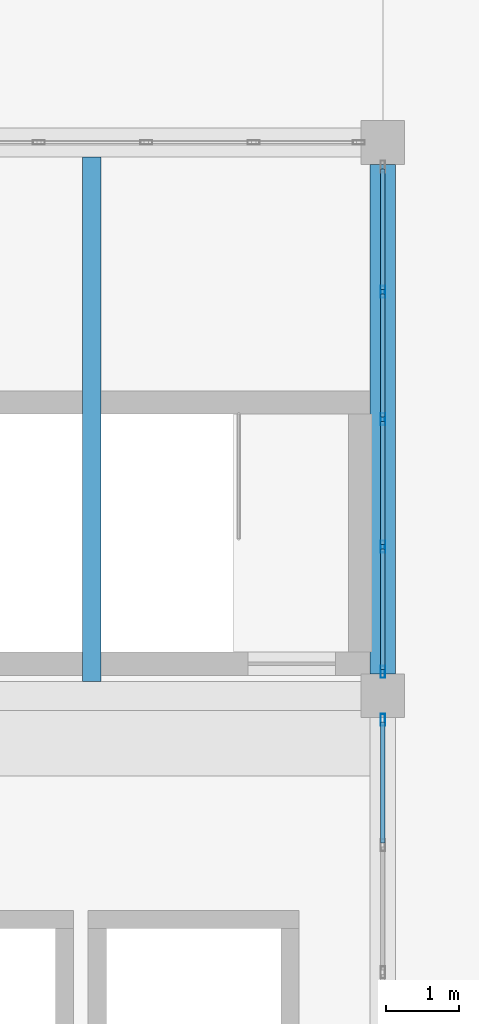
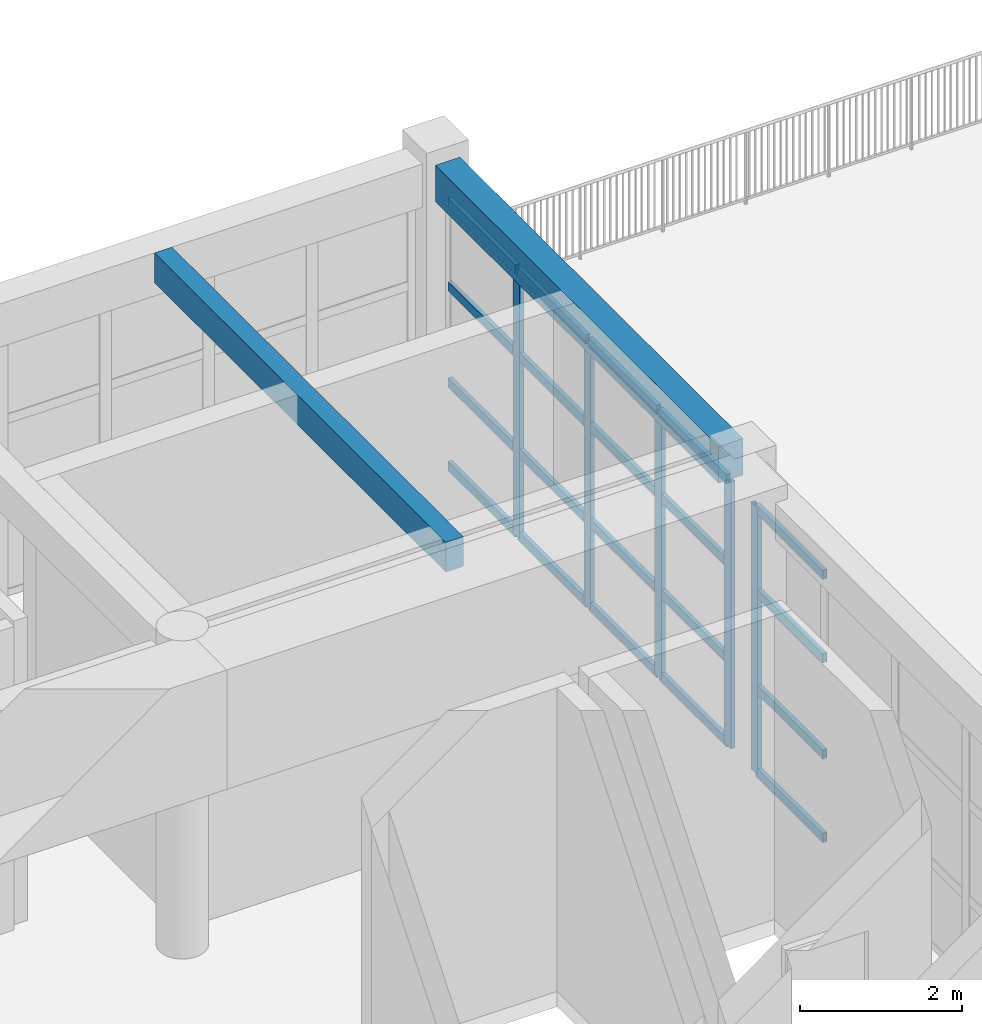
# One storey, part 19 of 32: 25 members, 2 beams, 2 elements without a shape of their own.
"""IFC4 building model written with IfcOpenShell, lengths in metres."""

from ifc_helpers import new_model, si_unit, direction, frame, origin, origin_2d, place, context, subcontext, project, spatial, rectangle, hollow_rectangle, extrude, material, material_profile, profile_set, type_object, element, aggregate, save


model = new_model("IFC4")

# Units and contexts
model_context = context("Model", 3, precision=1e-05, world=origin(), true_north=direction((0.0, 1.0)))
body_context = subcontext(model_context, "Body", "Model", "MODEL_VIEW")
ifc_project = project(units=[si_unit("LENGTHUNIT", "METRE"), si_unit("AREAUNIT", "SQUARE_METRE"), si_unit("VOLUMEUNIT", "CUBIC_METRE"), si_unit("PLANEANGLEUNIT", "RADIAN"), si_unit("MASSUNIT", "GRAM", prefix="KILO")], contexts=[model_context])

# Site, building, storey
site_placement = place(None, origin())
site = spatial("IfcSite", under=ifc_project, at=site_placement, CompositionType="ELEMENT")
building_placement = place(site_placement, origin())
building = spatial("IfcBuilding", under=site, at=building_placement, Name="Zantavel Square City Hall", CompositionType="ELEMENT")
storey_placement = place(building_placement, frame((0.0, 0.0, 23.699951171875)))
storey = spatial("IfcBuildingStorey", under=building, at=storey_placement, Name="L06", CompositionType="ELEMENT", Elevation=23.699951171875)

# Curtain wall, members
ifc_material_1 = material(Name="Anodised aluminium 6063-T6", Category="aluminium")
curtain_wall_type = type_object("IfcCurtainWallType", Name="Curtain Wall TRV1 7000x4030", PredefinedType="USERDEFINED", material=ifc_material_1)
curtain_wall_1_placement = place(storey_placement, origin())
curtain_wall_1 = element("IfcCurtainWall", 1, at=curtain_wall_1_placement, inside=storey, type_object=curtain_wall_type, Name="L06 Glazed Curtain Wall CW-L06-150", ObjectType="GLAZED CURTAIN WALL", PredefinedType="USERDEFINED")
ifc_material_profile_1 = material_profile(ifc_material_1, hollow_rectangle(XDim=0.06005859375, YDim=0.1650390625, WallThickness=0.00390625, at=origin_2d()), Name="ALU 60x165x4")
ifc_profile_set_1 = profile_set([ifc_material_profile_1], Name="Anodised aluminium 6063-T6")
member_type_1 = type_object("IfcMemberType", Name="CW Council Gallery Mullion ALU 60x165x4", PredefinedType="MULLION", material=ifc_profile_set_1)
member_1_placement = place(storey_placement, frame((104.0, 66.35009765625, 0.0), z_axis=(0.0, 0.0, 1.0), x_axis=(1.0, 0.0, 0.0)))
member_1 = element("IfcMember", 2, at=member_1_placement, type_object=member_type_1, Name="CW-150 mullion 2", PredefinedType="MULLION", context=body_context, shape_type="SweptSolid", body=[
    extrude(hollow_rectangle(XDim=0.06005859375, YDim=0.1650390625, WallThickness=0.00390625, at=origin_2d()), origin(), (0.0, 0.0, 1.0), 4.030029296875),
])
member_2_placement = place(storey_placement, frame((104.0, 64.60009765625, 0.0), z_axis=(0.0, 0.0, 1.0), x_axis=(1.0, 0.0, 0.0)))
member_2 = element("IfcMember", 3, at=member_2_placement, type_object=member_type_1, Name="CW-150 mullion 3", PredefinedType="MULLION", context=body_context, shape_type="SweptSolid", body=[
    extrude(hollow_rectangle(XDim=0.06005859375, YDim=0.1650390625, WallThickness=0.00390625, at=origin_2d()), origin(), (0.0, 0.0, 1.0), 4.030029296875),
])
member_3_placement = place(storey_placement, frame((104.0, 62.85009765625, 0.0), z_axis=(0.0, 0.0, 1.0), x_axis=(1.0, 0.0, 0.0)))
member_3 = element("IfcMember", 4, at=member_3_placement, type_object=member_type_1, Name="CW-150 mullion 4", PredefinedType="MULLION", context=body_context, shape_type="SweptSolid", body=[
    extrude(hollow_rectangle(XDim=0.06005859375, YDim=0.1650390625, WallThickness=0.00390625, at=origin_2d()), origin(), (0.0, 0.0, 1.0), 4.030029296875),
])
member_4_placement = place(storey_placement, frame((104.0, 61.1298828125, 0.0), z_axis=(0.0, 0.0, 1.0), x_axis=(1.0, 0.0, 0.0)))
member_4 = element("IfcMember", 5, at=member_4_placement, type_object=member_type_1, Name="CW-150 mullion 5", PredefinedType="MULLION", context=body_context, shape_type="SweptSolid", body=[
    extrude(hollow_rectangle(XDim=0.06005859375, YDim=0.1650390625, WallThickness=0.00390625, at=origin_2d()), origin(), (0.0, 0.0, 1.0), 4.030029296875),
])

# Curtain wall, member
curtain_wall_2_placement = place(storey_placement, origin())
curtain_wall_2 = element("IfcCurtainWall", 6, at=curtain_wall_2_placement, inside=storey, type_object=curtain_wall_type, Name="L06 Glazed Curtain Wall CW-L06-151", ObjectType="GLAZED CURTAIN WALL", PredefinedType="USERDEFINED")
member_5_placement = place(storey_placement, frame((104.0, 60.469970703125, 0.0), z_axis=(0.0, 0.0, 1.0), x_axis=(1.0, 0.0, 0.0)))
member_5 = element("IfcMember", 7, at=member_5_placement, type_object=member_type_1, Name="CW-151 mullion 1", PredefinedType="MULLION", context=body_context, shape_type="SweptSolid", body=[
    extrude(hollow_rectangle(XDim=0.06005859375, YDim=0.1650390625, WallThickness=0.00390625, at=origin_2d()), origin(), (0.0, 0.0, 1.0), 4.030029296875),
])

# Member
ifc_material_profile_2 = material_profile(ifc_material_1, hollow_rectangle(XDim=0.06005859375, YDim=0.139892578125, WallThickness=0.00390625, at=origin_2d()), Name="ALU 60x140x4")
ifc_profile_set_2 = profile_set([ifc_material_profile_2], Name="Anodised aluminium 6063-T6")
member_type_2 = type_object("IfcMemberType", Name="CW Transom ALU 60x140x4", PredefinedType="USERDEFINED", material=ifc_profile_set_2)
member_6_placement = place(storey_placement, frame((104.0, 68.0400390625, 0.030029296875), z_axis=(0.0, -1.0, 0.0), x_axis=(1.0, 0.0, 0.0)))
member_6 = element("IfcMember", 8, at=member_6_placement, type_object=member_type_2, Name="CW-150 transom 1.1", ObjectType="TRANSOM", PredefinedType="USERDEFINED", context=body_context, shape_type="SweptSolid", body=[
    extrude(hollow_rectangle(XDim=0.06005859375, YDim=0.139892578125, WallThickness=0.00390625, at=origin_2d()), origin(), (0.0, 0.0, 1.0), 1.66015625),
])

member_7_placement = place(storey_placement, frame((104.0, 68.0400390625, 1.2900390625), z_axis=(0.0, -1.0, 0.0), x_axis=(1.0, 0.0, 0.0)))
member_7 = element("IfcMember", 9, at=member_7_placement, type_object=member_type_2, Name="CW-150 transom 1.2", ObjectType="TRANSOM", PredefinedType="USERDEFINED", context=body_context, shape_type="SweptSolid", body=[
    extrude(hollow_rectangle(XDim=0.06005859375, YDim=0.139892578125, WallThickness=0.00390625, at=origin_2d()), origin(), (0.0, 0.0, 1.0), 1.66015625),
])

member_8_placement = place(storey_placement, frame((104.0, 68.0400390625, 2.739990234375), z_axis=(0.0, -1.0, 0.0), x_axis=(1.0, 0.0, 0.0)))
member_8 = element("IfcMember", 10, at=member_8_placement, type_object=member_type_2, Name="CW-150 transom 1.3", ObjectType="TRANSOM", PredefinedType="USERDEFINED", context=body_context, shape_type="SweptSolid", body=[
    extrude(hollow_rectangle(XDim=0.06005859375, YDim=0.139892578125, WallThickness=0.00390625, at=origin_2d()), origin(), (0.0, 0.0, 1.0), 1.66015625),
])

member_9_placement = place(storey_placement, frame((104.0, 68.0400390625, 4.0), z_axis=(0.0, -1.0, 0.0), x_axis=(1.0, 0.0, 0.0)))
member_9 = element("IfcMember", 11, at=member_9_placement, type_object=member_type_2, Name="CW-150 transom 1.4", ObjectType="TRANSOM", PredefinedType="USERDEFINED", context=body_context, shape_type="SweptSolid", body=[
    extrude(hollow_rectangle(XDim=0.06005859375, YDim=0.139892578125, WallThickness=0.00390625, at=origin_2d()), origin(), (0.0, 0.0, 1.0), 1.66015625),
])

member_10_placement = place(storey_placement, frame((104.0, 66.320068359375, 0.030029296875), z_axis=(0.0, -1.0, 0.0), x_axis=(1.0, 0.0, 0.0)))
member_10 = element("IfcMember", 12, at=member_10_placement, type_object=member_type_2, Name="CW-150 transom 2.1", ObjectType="TRANSOM", PredefinedType="USERDEFINED", context=body_context, shape_type="SweptSolid", body=[
    extrude(hollow_rectangle(XDim=0.06005859375, YDim=0.139892578125, WallThickness=0.00390625, at=origin_2d()), origin(), (0.0, 0.0, 1.0), 1.690185546875),
])

member_11_placement = place(storey_placement, frame((104.0, 66.320068359375, 1.2900390625), z_axis=(0.0, -1.0, 0.0), x_axis=(1.0, 0.0, 0.0)))
member_11 = element("IfcMember", 13, at=member_11_placement, type_object=member_type_2, Name="CW-150 transom 2.2", ObjectType="TRANSOM", PredefinedType="USERDEFINED", context=body_context, shape_type="SweptSolid", body=[
    extrude(hollow_rectangle(XDim=0.06005859375, YDim=0.139892578125, WallThickness=0.00390625, at=origin_2d()), origin(), (0.0, 0.0, 1.0), 1.690185546875),
])

member_12_placement = place(storey_placement, frame((104.0, 66.320068359375, 2.739990234375), z_axis=(0.0, -1.0, 0.0), x_axis=(1.0, 0.0, 0.0)))
member_12 = element("IfcMember", 14, at=member_12_placement, type_object=member_type_2, Name="CW-150 transom 2.3", ObjectType="TRANSOM", PredefinedType="USERDEFINED", context=body_context, shape_type="SweptSolid", body=[
    extrude(hollow_rectangle(XDim=0.06005859375, YDim=0.139892578125, WallThickness=0.00390625, at=origin_2d()), origin(), (0.0, 0.0, 1.0), 1.690185546875),
])

member_13_placement = place(storey_placement, frame((104.0, 66.320068359375, 4.0), z_axis=(0.0, -1.0, 0.0), x_axis=(1.0, 0.0, 0.0)))
member_13 = element("IfcMember", 15, at=member_13_placement, type_object=member_type_2, Name="CW-150 transom 2.4", ObjectType="TRANSOM", PredefinedType="USERDEFINED", context=body_context, shape_type="SweptSolid", body=[
    extrude(hollow_rectangle(XDim=0.06005859375, YDim=0.139892578125, WallThickness=0.00390625, at=origin_2d()), origin(), (0.0, 0.0, 1.0), 1.690185546875),
])

member_14_placement = place(storey_placement, frame((104.0, 64.570068359375, 0.030029296875), z_axis=(0.0, -1.0, 0.0), x_axis=(1.0, 0.0, 0.0)))
member_14 = element("IfcMember", 16, at=member_14_placement, type_object=member_type_2, Name="CW-150 transom 3.1", ObjectType="TRANSOM", PredefinedType="USERDEFINED", context=body_context, shape_type="SweptSolid", body=[
    extrude(hollow_rectangle(XDim=0.06005859375, YDim=0.139892578125, WallThickness=0.00390625, at=origin_2d()), origin(), (0.0, 0.0, 1.0), 1.690185546875),
])

member_15_placement = place(storey_placement, frame((104.0, 64.570068359375, 1.2900390625), z_axis=(0.0, -1.0, 0.0), x_axis=(1.0, 0.0, 0.0)))
member_15 = element("IfcMember", 17, at=member_15_placement, type_object=member_type_2, Name="CW-150 transom 3.2", ObjectType="TRANSOM", PredefinedType="USERDEFINED", context=body_context, shape_type="SweptSolid", body=[
    extrude(hollow_rectangle(XDim=0.06005859375, YDim=0.139892578125, WallThickness=0.00390625, at=origin_2d()), origin(), (0.0, 0.0, 1.0), 1.690185546875),
])

member_16_placement = place(storey_placement, frame((104.0, 64.570068359375, 2.739990234375), z_axis=(0.0, -1.0, 0.0), x_axis=(1.0, 0.0, 0.0)))
member_16 = element("IfcMember", 18, at=member_16_placement, type_object=member_type_2, Name="CW-150 transom 3.3", ObjectType="TRANSOM", PredefinedType="USERDEFINED", context=body_context, shape_type="SweptSolid", body=[
    extrude(hollow_rectangle(XDim=0.06005859375, YDim=0.139892578125, WallThickness=0.00390625, at=origin_2d()), origin(), (0.0, 0.0, 1.0), 1.690185546875),
])

member_17_placement = place(storey_placement, frame((104.0, 64.570068359375, 4.0), z_axis=(0.0, -1.0, 0.0), x_axis=(1.0, 0.0, 0.0)))
member_17 = element("IfcMember", 19, at=member_17_placement, type_object=member_type_2, Name="CW-150 transom 3.4", ObjectType="TRANSOM", PredefinedType="USERDEFINED", context=body_context, shape_type="SweptSolid", body=[
    extrude(hollow_rectangle(XDim=0.06005859375, YDim=0.139892578125, WallThickness=0.00390625, at=origin_2d()), origin(), (0.0, 0.0, 1.0), 1.690185546875),
])

member_18_placement = place(storey_placement, frame((104.0, 62.820068359375, 0.030029296875), z_axis=(0.0, -1.0, 0.0), x_axis=(1.0, 0.0, 0.0)))
member_18 = element("IfcMember", 20, at=member_18_placement, type_object=member_type_2, Name="CW-150 transom 4.1", ObjectType="TRANSOM", PredefinedType="USERDEFINED", context=body_context, shape_type="SweptSolid", body=[
    extrude(hollow_rectangle(XDim=0.06005859375, YDim=0.139892578125, WallThickness=0.00390625, at=origin_2d()), origin(), (0.0, 0.0, 1.0), 1.66015625),
])

member_19_placement = place(storey_placement, frame((104.0, 62.820068359375, 1.2900390625), z_axis=(0.0, -1.0, 0.0), x_axis=(1.0, 0.0, 0.0)))
member_19 = element("IfcMember", 21, at=member_19_placement, type_object=member_type_2, Name="CW-150 transom 4.2", ObjectType="TRANSOM", PredefinedType="USERDEFINED", context=body_context, shape_type="SweptSolid", body=[
    extrude(hollow_rectangle(XDim=0.06005859375, YDim=0.139892578125, WallThickness=0.00390625, at=origin_2d()), origin(), (0.0, 0.0, 1.0), 1.66015625),
])

member_20_placement = place(storey_placement, frame((104.0, 62.820068359375, 2.739990234375), z_axis=(0.0, -1.0, 0.0), x_axis=(1.0, 0.0, 0.0)))
member_20 = element("IfcMember", 22, at=member_20_placement, type_object=member_type_2, Name="CW-150 transom 4.3", ObjectType="TRANSOM", PredefinedType="USERDEFINED", context=body_context, shape_type="SweptSolid", body=[
    extrude(hollow_rectangle(XDim=0.06005859375, YDim=0.139892578125, WallThickness=0.00390625, at=origin_2d()), origin(), (0.0, 0.0, 1.0), 1.66015625),
])

member_21_placement = place(storey_placement, frame((104.0, 62.820068359375, 4.0), z_axis=(0.0, -1.0, 0.0), x_axis=(1.0, 0.0, 0.0)))
member_21 = element("IfcMember", 23, at=member_21_placement, type_object=member_type_2, Name="CW-150 transom 4.4", ObjectType="TRANSOM", PredefinedType="USERDEFINED", context=body_context, shape_type="SweptSolid", body=[
    extrude(hollow_rectangle(XDim=0.06005859375, YDim=0.139892578125, WallThickness=0.00390625, at=origin_2d()), origin(), (0.0, 0.0, 1.0), 1.66015625),
])

aggregate(curtain_wall_1, [member_1, member_2, member_3, member_4, member_6, member_7, member_8, member_9, member_10, member_11, member_12, member_13, member_14, member_15, member_16, member_17, member_18, member_19, member_20, member_21])

member_22_placement = place(storey_placement, frame((104.0, 60.43994140625, 0.030029296875), z_axis=(0.0, -1.0, 0.0), x_axis=(1.0, 0.0, 0.0)))
member_22 = element("IfcMember", 24, at=member_22_placement, type_object=member_type_2, Name="CW-151 transom 1.1", ObjectType="TRANSOM", PredefinedType="USERDEFINED", context=body_context, shape_type="SweptSolid", body=[
    extrude(hollow_rectangle(XDim=0.06005859375, YDim=0.139892578125, WallThickness=0.00390625, at=origin_2d()), origin(), (0.0, 0.0, 1.0), 1.659912109375),
])

member_23_placement = place(storey_placement, frame((104.0, 60.43994140625, 1.2900390625), z_axis=(0.0, -1.0, 0.0), x_axis=(1.0, 0.0, 0.0)))
member_23 = element("IfcMember", 25, at=member_23_placement, type_object=member_type_2, Name="CW-151 transom 1.2", ObjectType="TRANSOM", PredefinedType="USERDEFINED", context=body_context, shape_type="SweptSolid", body=[
    extrude(hollow_rectangle(XDim=0.06005859375, YDim=0.139892578125, WallThickness=0.00390625, at=origin_2d()), origin(), (0.0, 0.0, 1.0), 1.659912109375),
])

member_24_placement = place(storey_placement, frame((104.0, 60.43994140625, 2.739990234375), z_axis=(0.0, -1.0, 0.0), x_axis=(1.0, 0.0, 0.0)))
member_24 = element("IfcMember", 26, at=member_24_placement, type_object=member_type_2, Name="CW-151 transom 1.3", ObjectType="TRANSOM", PredefinedType="USERDEFINED", context=body_context, shape_type="SweptSolid", body=[
    extrude(hollow_rectangle(XDim=0.06005859375, YDim=0.139892578125, WallThickness=0.00390625, at=origin_2d()), origin(), (0.0, 0.0, 1.0), 1.659912109375),
])

member_25_placement = place(storey_placement, frame((104.0, 60.43994140625, 4.0), z_axis=(0.0, -1.0, 0.0), x_axis=(1.0, 0.0, 0.0)))
member_25 = element("IfcMember", 27, at=member_25_placement, type_object=member_type_2, Name="CW-151 transom 1.4", ObjectType="TRANSOM", PredefinedType="USERDEFINED", context=body_context, shape_type="SweptSolid", body=[
    extrude(hollow_rectangle(XDim=0.06005859375, YDim=0.139892578125, WallThickness=0.00390625, at=origin_2d()), origin(), (0.0, 0.0, 1.0), 1.659912109375),
])

aggregate(curtain_wall_2, [member_5, member_22, member_23, member_24, member_25])

# Beams
ifc_material_2 = material(Name="Concrete C35/45", Category="concrete")
ifc_material_profile_3 = material_profile(ifc_material_2, rectangle(XDim=0.25, YDim=0.449951171875, at=origin_2d()), Name="RC 250x450")
ifc_profile_set_3 = profile_set([ifc_material_profile_3], Name="Concrete C35/45")
beam_type_1 = type_object("IfcBeamType", Name="Light Floor Joist RC 250x450 C35/45", PredefinedType="JOIST", material=ifc_profile_set_3)
beam_1_placement = place(storey_placement, frame((100.0, 61.0, 4.35498046875), z_axis=(0.0, 1.0, 0.0), x_axis=(-1.0, 0.0, 0.0)))
element("IfcBeam", 28, at=beam_1_placement, inside=storey, type_object=beam_type_1, Name="L06 Floor Joist JST-L06-1000-0608", PredefinedType="JOIST", context=body_context, shape_type="SweptSolid", body=[
    extrude(rectangle(XDim=0.25, YDim=0.449951171875, at=origin_2d()), origin(), (0.0, 0.0, 1.0), 7.199951171875),
])
ifc_material_profile_4 = material_profile(ifc_material_2, rectangle(XDim=0.35009765625, YDim=0.550048828125, at=origin_2d()), Name="RC 350x550")
ifc_profile_set_4 = profile_set([ifc_material_profile_4], Name="Concrete C35/45")
beam_type_2 = type_object("IfcBeamType", Name="Secondary Beam RC 350x550 C35/45", PredefinedType="BEAM", material=ifc_profile_set_4)
beam_2_placement = place(storey_placement, frame((104.0, 61.10009765625, 4.304931640625), z_axis=(0.0, 1.0, 0.0), x_axis=(-1.0, 0.0, 0.0)))
element("IfcBeam", 29, at=beam_2_placement, inside=storey, type_object=beam_type_2, Name="L06 Beam BMY-L06-1040-0608", PredefinedType="BEAM", context=body_context, shape_type="SweptSolid", body=[
    extrude(rectangle(XDim=0.35009765625, YDim=0.550048828125, at=origin_2d()), origin(), (0.0, 0.0, 1.0), 7.0),
])

save(model, "model.ifc")
